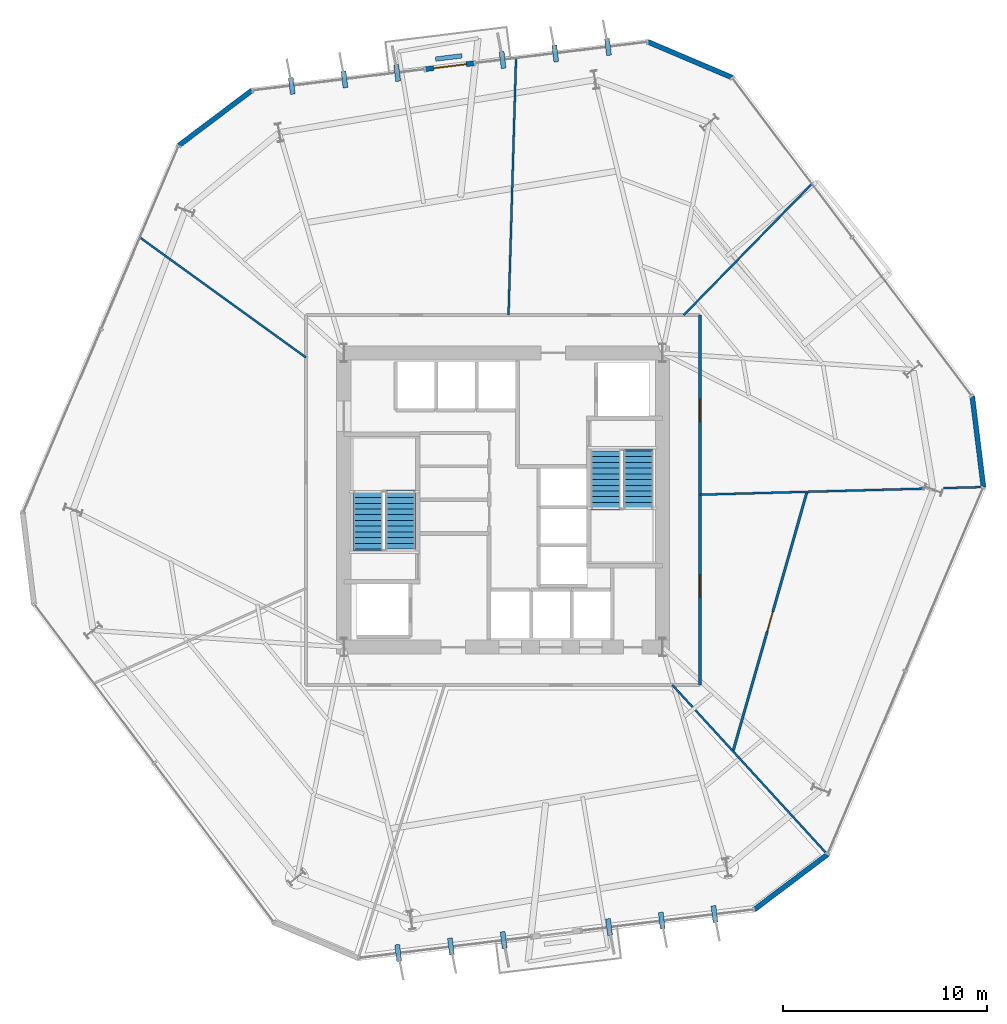
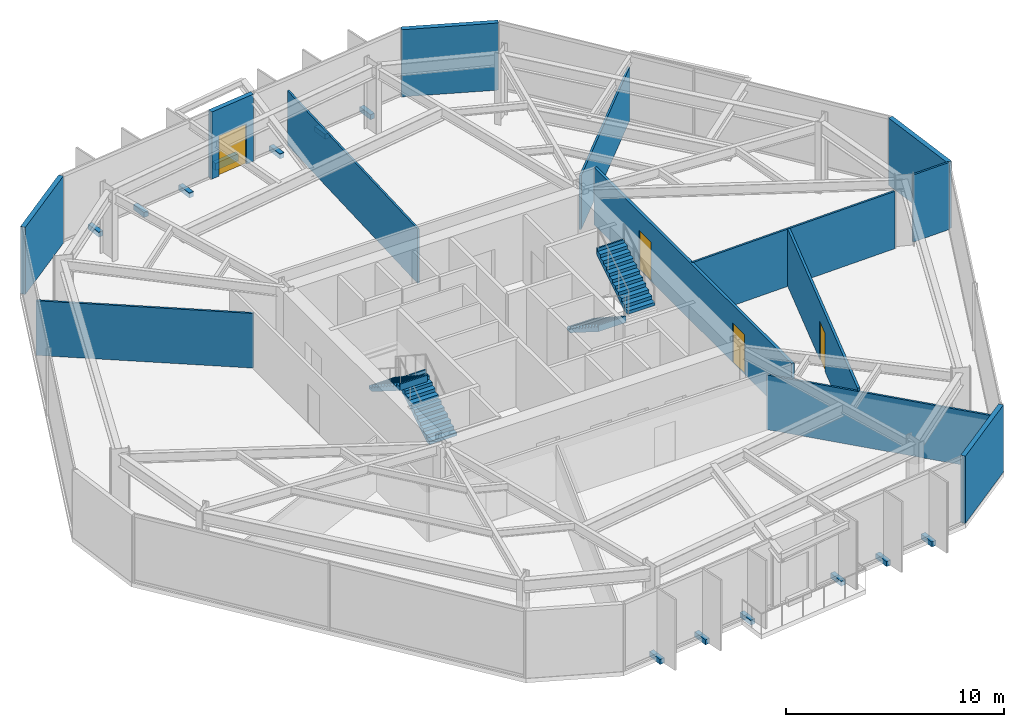
# One storey, part 8 of 11: 14 walls, 12 discrete accessories, 4 doors, 4 stair flights, 4 openings, 2 elements without a shape of their own.
"""IFC4 building model written with IfcOpenShell, lengths in metres."""

from ifc_helpers import new_model, si_unit, direction, frame, frame_2d, origin, origin_2d, place, context, subcontext, project, spatial, polyline, rectangle, outline, extrude, material, layer, layer_set, type_object, element, fill, aggregate, save


model = new_model("IFC4")

# Units and contexts
model_context = context("Model", 3, precision=1e-05, world=origin(), true_north=direction((0.0, 1.0)))
body_context = subcontext(model_context, "Body", "Model", "MODEL_VIEW")
ifc_project = project(units=[si_unit("LENGTHUNIT", "METRE"), si_unit("AREAUNIT", "SQUARE_METRE"), si_unit("VOLUMEUNIT", "CUBIC_METRE"), si_unit("PLANEANGLEUNIT", "RADIAN"), si_unit("MASSUNIT", "GRAM", prefix="KILO")], contexts=[model_context])

# Site, building, storey
site_placement = place(None, origin())
site = spatial("IfcSite", under=ifc_project, at=site_placement, CompositionType="ELEMENT")
building_placement = place(site_placement, origin())
building = spatial("IfcBuilding", under=site, at=building_placement, Name="Kranzbogen Civic Tower", CompositionType="ELEMENT")
storey_placement = place(building_placement, frame((0.0, 0.0, 48.0)))
storey = spatial("IfcBuildingStorey", under=building, at=storey_placement, Name="L11", CompositionType="ELEMENT", Elevation=48.0)

# Wall, openings, doors
ifc_material_1 = material(Name="Double-Stud Acoustic Gypsum Partition")
ifc_layer_1 = layer(ifc_material_1, 0.14990234375, Name="Double-Stud Acoustic Gypsum Partition")
ifc_layer_set_1 = layer_set([ifc_layer_1], Name="Double-Stud Acoustic Gypsum Partition")
wall_type_1 = type_object("IfcWallType", Name="Acoustic Corridor and Clinical Partition 150 mm", PredefinedType="PARTITIONING", material=ifc_layer_set_1)
wall_1_placement = place(storey_placement, frame((34.64990234375, 34.050048828125, 0.0), z_axis=(0.0, 0.0, 1.0), x_axis=(0.0, -1.0, 0.0)))
wall_1 = element("IfcWall", 1, at=wall_1_placement, inside=storey, type_object=wall_type_1, Name="L11 corridor partition 02", PredefinedType="PARTITIONING", context=body_context, shape_type="SweptSolid", body=[
    extrude(rectangle(XDim=18.10009765625, YDim=0.14990234375, at=frame_2d((9.050048828125, 0.0))), origin(), (0.0, 0.0, 1.0), 3.2099609375),
])
opening_1_placement = place(wall_1_placement, frame((12.7099609375, 0.0, 0.0)))
opening_1 = element("IfcOpeningElement", 2, at=opening_1_placement, cuts=wall_1, Name="Opening D-COR60", PredefinedType="OPENING", context=body_context, shape_type="SweptSolid", body=[
    extrude(rectangle(XDim=1.10009765625, YDim=2.199951171875, at=frame_2d((0.550048828125, 1.10009765625))), frame((0.0, 0.0849609375, 0.0), z_axis=(0.0, -1.0, 0.0), x_axis=(1.0, 0.0, 0.0)), (0.0, 0.0, 1.0), 0.169921875),
])
opening_2_placement = place(wall_1_placement, frame((4.116943359375, 0.0, 0.0)))
opening_2 = element("IfcOpeningElement", 3, at=opening_2_placement, cuts=wall_1, Name="Opening D-COR60", PredefinedType="OPENING", context=body_context, shape_type="SweptSolid", body=[
    extrude(rectangle(XDim=1.10009765625, YDim=2.199951171875, at=frame_2d((0.550048828125, 1.10009765625))), frame((0.0, 0.0849609375, 0.0), z_axis=(0.0, -1.0, 0.0), x_axis=(1.0, 0.0, 0.0)), (0.0, 0.0, 1.0), 0.169921875),
])
ifc_material_2 = material(Name="Oak Timber and Fire Core", Category="wood")
door_type_1 = type_object("IfcDoorType", Name="Corridor Acoustic Fire Door 1100x2200", OperationType="NOTDEFINED", PredefinedType="DOOR", material=ifc_material_2)
door_1_placement = place(opening_1_placement, origin())
door_1 = element("IfcDoor", 4, at=door_1_placement, inside=storey, type_object=door_type_1, Name="L11 Legal Counsel Office door", OperationType="SINGLE_SWING_RIGHT", OverallHeight=2.199951171875, OverallWidth=1.10009765625, PredefinedType="DOOR", context=body_context, shape_type="SweptSolid", body=[
    extrude(rectangle(XDim=1.10009765625, YDim=2.199951171875, at=frame_2d((0.550048828125, 1.10009765625))), frame((0.0, 0.02490234375, 0.0), z_axis=(0.0, -1.0, 0.0), x_axis=(1.0, 0.0, 0.0)), (0.0, 0.0, 1.0), 0.050048828125),
])
fill(opening_1, door_1)
door_2_placement = place(opening_2_placement, origin())
door_2 = element("IfcDoor", 5, at=door_2_placement, inside=storey, type_object=door_type_1, Name="L11 Executive Research Study door", OperationType="SINGLE_SWING_RIGHT", OverallHeight=2.199951171875, OverallWidth=1.10009765625, PredefinedType="DOOR", context=body_context, shape_type="SweptSolid", body=[
    extrude(rectangle(XDim=1.10009765625, YDim=2.199951171875, at=frame_2d((0.550048828125, 1.10009765625))), frame((0.0, 0.02490234375, 0.0), z_axis=(0.0, -1.0, 0.0), x_axis=(1.0, 0.0, 0.0)), (0.0, 0.0, 1.0), 0.050048828125),
])
fill(opening_2, door_2)

# Wall, opening, door
ifc_material_3 = material(Name="Insulated Metal-Stud Gypsum Partition")
ifc_layer_2 = layer(ifc_material_3, 0.125, Name="Insulated Metal-Stud Gypsum Partition")
ifc_layer_set_2 = layer_set([ifc_layer_2], Name="Insulated Metal-Stud Gypsum Partition")
wall_type_2 = type_object("IfcWallType", Name="Acoustic Inter-Room Partition 125 mm", PredefinedType="PARTITIONING", material=ifc_layer_set_2)
wall_2_placement = place(storey_placement, frame((36.262939453125, 12.7119140625, 0.0), z_axis=(0.0, 0.0, 1.0), x_axis=(0.27415099994, 0.961686658549, 0.0)))
wall_2 = element("IfcWall", 6, at=wall_2_placement, inside=storey, type_object=wall_type_2, Name="L11 suite chord partition 01", PredefinedType="PARTITIONING", context=body_context, shape_type="SweptSolid", body=[
    extrude(rectangle(XDim=13.178955078125, YDim=0.125, at=frame_2d((6.58935546875, 0.0))), origin(), (0.0, 0.0, 1.0), 3.2099609375),
])
opening_3_placement = place(wall_2_placement, frame((6.089111328125, 0.0, 0.0)))
opening_3 = element("IfcOpeningElement", 7, at=opening_3_placement, cuts=wall_2, Name="Opening D-OFC10", PredefinedType="OPENING", context=body_context, shape_type="SweptSolid", body=[
    extrude(rectangle(XDim=1.0, YDim=2.14990234375, at=frame_2d((0.5, 1.074951171875))), frame((0.0, 0.072509765625, 0.0), z_axis=(0.0, -1.0, 0.0), x_axis=(1.0, 0.0, 0.0)), (0.0, 0.0, 1.0), 0.14501953125),
])
ifc_material_4 = material(Name="Oak Timber Veneer", Category="wood")
door_type_2 = type_object("IfcDoorType", Name="Standard Office Acoustic Door 1000x2150", OperationType="NOTDEFINED", PredefinedType="DOOR", material=ifc_material_4)
door_3_placement = place(opening_3_placement, origin())
door_3 = element("IfcDoor", 8, at=door_3_placement, inside=storey, type_object=door_type_2, Name="L11 Delegates Sitting Lounge door", OperationType="SINGLE_SWING_LEFT", OverallHeight=2.14990234375, OverallWidth=1.0, PredefinedType="DOOR", context=body_context, shape_type="SweptSolid", body=[
    extrude(rectangle(XDim=1.0, YDim=2.14990234375, at=frame_2d((0.5, 1.074951171875))), frame((0.0, 0.02490234375, 0.0), z_axis=(0.0, -1.0, 0.0), x_axis=(1.0, 0.0, 0.0)), (0.0, 0.0, 1.0), 0.050048828125),
])
fill(opening_3, door_3)

# Walls
ifc_material_5 = material(Name="Architectural Precast Terracotta Concrete C40/50", Category="masonry")
ifc_layer_3 = layer(ifc_material_5, 0.219970703125, Name="Architectural Precast Terracotta Concrete C40/50")
ifc_layer_set_3 = layer_set([ifc_layer_3], Name="Architectural Precast Terracotta Concrete C40/50")
wall_type_3 = type_object("IfcWallType", Name="Architectural Tree Planter Kerb Wall 220 mm", PredefinedType="USERDEFINED", material=ifc_layer_set_3)
wall_3_placement = place(storey_placement, frame((22.98388671875, 46.74609375, 0.0), z_axis=(0.0, 0.0, 1.0), x_axis=(-0.99256138924, -0.121745178919, 0.0)))
element("IfcWall", 9, at=wall_3_placement, inside=storey, type_object=wall_type_3, Name="L11 landscaped tree balcony planter L11-TB2", ObjectType="PLANTER_WALL", PredefinedType="USERDEFINED", context=body_context, shape_type="SweptSolid", body=[
    extrude(rectangle(XDim=1.299560546875, YDim=0.219970703125, at=frame_2d((0.64990234375, 0.0))), origin(), (0.0, 0.0, 1.0), 0.39990234375),
])
ifc_material_6 = material(Name="Demountable Aluminium and Gypsum Partition", Category="aluminium")
ifc_layer_4 = layer(ifc_material_6, 0.10009765625, Name="Demountable Aluminium and Gypsum Partition")
ifc_layer_set_4 = layer_set([ifc_layer_4], Name="Demountable Aluminium and Gypsum Partition")
wall_type_4 = type_object("IfcWallType", Name="Demountable Office Partition 100 mm", PredefinedType="MOVABLE", material=ifc_layer_set_4)
wall_4_placement = place(storey_placement, frame((33.840087890625, 34.050048828125, 0.0), z_axis=(0.0, 0.0, 1.0), x_axis=(0.698762183729, 0.715354045624, 0.0)))
element("IfcWall", 10, at=wall_4_placement, inside=storey, type_object=wall_type_4, Name="L11 radial room partition 01", PredefinedType="MOVABLE", context=body_context, shape_type="SweptSolid", body=[
    extrude(rectangle(XDim=8.975830078125, YDim=0.10009765625, at=frame_2d((4.48779296875, 0.0))), origin(), (0.0, 0.0, 1.0), 3.02001953125),
])
wall_5_placement = place(storey_placement, frame((25.263916015625, 34.050048828125, 0.0), z_axis=(0.0, 0.0, 1.0), x_axis=(0.029203902764, 0.99957347507, 0.0)))
element("IfcWall", 11, at=wall_5_placement, inside=storey, type_object=wall_type_4, Name="L11 radial room partition 02", PredefinedType="MOVABLE", context=body_context, shape_type="SweptSolid", body=[
    extrude(rectangle(XDim=12.5732421875, YDim=0.10009765625, at=frame_2d((6.28662109375, 0.0))), origin(), (0.0, 0.0, 1.0), 3.050048828125),
])
wall_6_placement = place(storey_placement, frame((15.35009765625, 31.97509765625, 0.0), z_axis=(0.0, 0.0, 1.0), x_axis=(-0.810433800227, 0.585830227497, 0.0)))
element("IfcWall", 12, at=wall_6_placement, inside=storey, type_object=wall_type_4, Name="L11 radial room partition 03", PredefinedType="MOVABLE", context=body_context, shape_type="SweptSolid", body=[
    extrude(rectangle(XDim=10.023193359375, YDim=0.10009765625, at=frame_2d((5.01171875, 0.0))), origin(), (0.0, 0.0, 1.0), 3.06005859375),
])
wall_7_placement = place(storey_placement, frame((33.280029296875, 15.949951171875, 0.0), z_axis=(0.0, 0.0, 1.0), x_axis=(0.675035607083, -0.737785151091, 0.0)))
element("IfcWall", 13, at=wall_7_placement, inside=storey, type_object=wall_type_4, Name="L11 radial room partition 06", PredefinedType="MOVABLE", context=body_context, shape_type="SweptSolid", body=[
    extrude(rectangle(XDim=11.236328125, YDim=0.10009765625, at=frame_2d((5.6181640625, 0.0))), origin(), (0.0, 0.0, 1.0), 3.06005859375),
])
wall_8_placement = place(storey_placement, frame((34.64990234375, 25.260009765625, 0.0), z_axis=(0.0, 0.0, 1.0), x_axis=(0.999634969873, 0.027017161348, 0.0)))
element("IfcWall", 14, at=wall_8_placement, inside=storey, type_object=wall_type_4, Name="L11 radial room partition 07 part 1", PredefinedType="MOVABLE", context=body_context, shape_type="SweptSolid", body=[
    extrude(rectangle(XDim=10.916015625, YDim=0.10009765625, at=frame_2d((5.4580078125, 0.0))), origin(), (0.0, 0.0, 1.0), 3.2099609375),
])
wall_9_placement = place(storey_placement, frame((46.552001953125, 25.5810546875, 0.0), z_axis=(0.0, 0.0, 1.0), x_axis=(0.999628897196, 0.027240923106, 0.0)))
element("IfcWall", 15, at=wall_9_placement, inside=storey, type_object=wall_type_4, Name="L11 radial room partition 07 part 2", PredefinedType="MOVABLE", context=body_context, shape_type="SweptSolid", body=[
    extrude(rectangle(XDim=1.94482421875, YDim=0.10009765625, at=frame_2d((0.972412109375, 0.0))), origin(), (0.0, 0.0, 1.0), 3.760009765625),
])
ifc_material_7 = material(Name="Pale Anodised Aluminium", Category="aluminium")
ifc_layer_5 = layer(ifc_material_7, 0.239990234375, Name="Pale Anodised Aluminium")
ifc_layer_set_5 = layer_set([ifc_layer_5], Name="Pale Anodised Aluminium")
wall_type_5 = type_object("IfcWallType", Name="Insulated Aluminium Facade Portal Wall 240 mm", PredefinedType="STANDARD", material=ifc_layer_set_5)
wall_10_placement = place(storey_placement, frame((36.2080078125, 45.680908203125, 0.0), z_axis=(0.0, 0.0, 1.0), x_axis=(-0.920463989724, 0.390827383409, 0.0)))
element("IfcWall", 16, at=wall_10_placement, inside=storey, type_object=wall_type_5, Name="L11 chamfered corner facade spandrel 1", PredefinedType="STANDARD", context=body_context, shape_type="SweptSolid", body=[
    extrude(rectangle(XDim=4.47265625, YDim=0.239990234375, at=frame_2d((2.236328125, 0.0))), origin(), (0.0, 0.0, 1.0), 3.760009765625),
])

# Wall, opening, door
wall_11_placement = place(storey_placement, frame((23.5830078125, 46.385009765625, 0.0), z_axis=(0.0, 0.0, 1.0), x_axis=(-0.992521632568, -0.122068869435, 0.0)))
wall_11 = element("IfcWall", 17, at=wall_11_placement, inside=storey, type_object=wall_type_5, Name="L11 exterior entrance portal wall 1", PredefinedType="STANDARD", context=body_context, shape_type="SweptSolid", body=[
    extrude(rectangle(XDim=2.400146484375, YDim=0.239990234375, at=frame_2d((1.2001953125, 0.0))), origin(), (0.0, 0.0, 1.0), 3.760009765625),
])
opening_4_placement = place(wall_11_placement, frame((0.39990234375, 0.0, 0.0)))
opening_4 = element("IfcOpeningElement", 18, at=opening_4_placement, cuts=wall_11, Name="Opening D-TER", PredefinedType="OPENING", context=body_context, shape_type="SweptSolid", body=[
    extrude(rectangle(XDim=1.60009765625, YDim=2.25, at=frame_2d((0.800048828125, 1.125))), frame((0.0, 0.1298828125, 0.0), z_axis=(0.0, -1.0, 0.0), x_axis=(1.0, 0.0, 0.0)), (0.0, 0.0, 1.0), 0.260009765625),
])
ifc_material_8 = material(Name="Anodised Bronze and Triple Glass", Category="glass")
door_type_3 = type_object("IfcDoorType", Name="Glazed Terrace and Balcony Double Door 1600x2250", OperationType="DOUBLE_DOOR_SINGLE_SWING", PredefinedType="DOOR", material=ifc_material_8)
door_4_placement = place(opening_4_placement, frame((1.60009765625, 0.0, 0.0), z_axis=(0.0, 0.0, 1.0), x_axis=(-1.0, 0.0, 0.0)))
door_4 = element("IfcDoor", 19, at=door_4_placement, inside=storey, type_object=door_type_3, Name="L11 tree balcony access door L11-TB2", OperationType="DOUBLE_DOOR_SINGLE_SWING", OverallHeight=2.25, OverallWidth=1.60009765625, PredefinedType="DOOR", context=body_context, shape_type="SweptSolid", body=[
    extrude(rectangle(XDim=1.60009765625, YDim=2.25, at=frame_2d((0.800048828125, 1.125))), frame((0.0, 0.02490234375, 0.0), z_axis=(0.0, -1.0, 0.0), x_axis=(1.0, 0.0, 0.0)), (0.0, 0.0, 1.0), 0.050048828125),
])
fill(opening_4, door_4)

# Walls
for number, where, z_axis, x_axis, name in (
    (20, (12.694091796875, 45.048095703125, 0.0), (0.0, 0.0, 1.0), (-0.798484642233, -0.602015179309, 0.0), "L11 chamfered corner facade spandrel 2"),
    (21, (37.305908203125, 4.951904296875, 0.0), (0.0, 0.0, 1.0), (0.798484642233, 0.602015179309, 0.0), "L11 chamfered corner facade spandrel 5"),
    (22, (48.514892578125, 25.634033203125, 0.0), (0.0, 0.0, 1.0), (-0.122032788479, 0.992526069449, 0.0), "L11 chamfered corner facade spandrel 6"),
):
    element("IfcWall", number, at=place(storey_placement, frame(where, z_axis=z_axis, x_axis=x_axis)), inside=storey, type_object=wall_type_5, Name=name, PredefinedType="STANDARD", context=body_context, shape_type="SweptSolid", body=[
        extrude(rectangle(XDim=4.473388671875, YDim=0.239990234375, at=frame_2d((2.23681640625, 0.0))), origin(), (0.0, 0.0, 1.0), 3.760009765625),
    ])

# Stair, stair flights
ifc_material_9 = material(Name="Precast concrete C40/50", Category="concrete")
stair_type_1 = type_object("IfcStairType", Name="Tower Core Pressurized Dogleg Stair 1450", PredefinedType="HALF_TURN_STAIR", material=ifc_material_9)
stair_1_placement = place(storey_placement, origin())
stair_1 = element("IfcStair", 23, at=stair_1_placement, inside=storey, type_object=stair_type_1, Name="L11 Tower Core Pressurized Stair 1", PredefinedType="HALF_TURN_STAIR")
stair_flight_type = type_object("IfcStairFlightType", Name="Precast Concrete Stair Flight R180", PredefinedType="STRAIGHT", material=ifc_material_9)
stair_flight_1_placement = place(storey_placement, frame((19.97509765625, 22.60009765625, 0.0), z_axis=(0.0, 0.0, 1.0), x_axis=(0.0, 1.0, 0.0)))
stair_flight_1 = element("IfcStairFlight", 24, at=stair_flight_1_placement, type_object=stair_flight_type, Name="ST-T1 flight 1", NumberOfRisers=11, NumberOfTreads=10, PredefinedType="STRAIGHT", RiserHeight=0.181818182, TreadLength=0.28, context=body_context, shape_type="SweptSolid", body=[
    extrude(outline(polyline([(0.0, 0.0), (0.0, 0.181884765625), (0.280029296875, 0.181884765625), (0.280029296875, 0.363525390625), (0.56005859375, 0.363525390625), (0.56005859375, 0.54541015625), (0.840087890625, 0.54541015625), (0.840087890625, 0.727294921875), (1.1201171875, 0.727294921875), (1.1201171875, 0.9091796875), (1.39990234375, 0.9091796875), (1.39990234375, 1.0908203125), (1.679931640625, 1.0908203125), (1.679931640625, 1.272705078125), (1.9599609375, 1.272705078125), (1.9599609375, 1.45458984375), (2.239990234375, 1.45458984375), (2.239990234375, 1.636474609375), (2.52001953125, 1.636474609375), (2.52001953125, 1.818115234375), (2.800048828125, 1.818115234375), (2.800048828125, 2.0), (2.880126953125, 2.0), (2.880126953125, 1.639404296875), (0.275146484375, 0.0), (0.0, 0.0)])), frame((0.0, 0.72509765625, 0.0), z_axis=(0.0, -1.0, 0.0), x_axis=(1.0, 0.0, 0.0)), (0.0, 0.0, 1.0), 1.449951171875),
])
stair_flight_2_placement = place(storey_placement, frame((18.375, 25.39990234375, 2.0), z_axis=(0.0, 0.0, 1.0), x_axis=(0.0, -1.0, 0.0)))
stair_flight_2 = element("IfcStairFlight", 25, at=stair_flight_2_placement, type_object=stair_flight_type, Name="ST-T1 flight 2", NumberOfRisers=11, NumberOfTreads=10, PredefinedType="STRAIGHT", RiserHeight=0.181818182, TreadLength=0.28, context=body_context, shape_type="SweptSolid", body=[
    extrude(outline(polyline([(0.0, 0.0), (0.0, 0.181884765625), (0.280029296875, 0.181884765625), (0.280029296875, 0.363525390625), (0.56005859375, 0.363525390625), (0.56005859375, 0.54541015625), (0.840087890625, 0.54541015625), (0.840087890625, 0.727294921875), (1.1201171875, 0.727294921875), (1.1201171875, 0.9091796875), (1.39990234375, 0.9091796875), (1.39990234375, 1.0908203125), (1.679931640625, 1.0908203125), (1.679931640625, 1.272705078125), (1.9599609375, 1.272705078125), (1.9599609375, 1.45458984375), (2.239990234375, 1.45458984375), (2.239990234375, 1.636474609375), (2.52001953125, 1.636474609375), (2.52001953125, 1.818115234375), (2.800048828125, 1.818115234375), (2.800048828125, 2.0), (2.880126953125, 2.0), (2.880126953125, 1.639404296875), (0.275146484375, 0.0), (0.0, 0.0)])), frame((0.0, 0.72509765625, 0.0), z_axis=(0.0, -1.0, 0.0), x_axis=(1.0, 0.0, 0.0)), (0.0, 0.0, 1.0), 1.449951171875),
])
aggregate(stair_1, [stair_flight_1, stair_flight_2])

stair_type_2 = type_object("IfcStairType", Name="Tower Core Secondary Dogleg Stair 1450", PredefinedType="HALF_TURN_STAIR", material=ifc_material_9)
stair_2_placement = place(storey_placement, origin())
stair_2 = element("IfcStair", 26, at=stair_2_placement, inside=storey, type_object=stair_type_2, Name="L11 Tower Core Pressurized Stair 2", PredefinedType="HALF_TURN_STAIR")
stair_flight_3_placement = place(storey_placement, frame((30.02490234375, 27.39990234375, 0.0), z_axis=(0.0, 0.0, 1.0), x_axis=(0.0, -1.0, 0.0)))
stair_flight_3 = element("IfcStairFlight", 27, at=stair_flight_3_placement, type_object=stair_flight_type, Name="ST-T2 flight 1", NumberOfRisers=11, NumberOfTreads=10, PredefinedType="STRAIGHT", RiserHeight=0.181818182, TreadLength=0.28, context=body_context, shape_type="SweptSolid", body=[
    extrude(outline(polyline([(0.0, 0.0), (0.0, 0.181884765625), (0.280029296875, 0.181884765625), (0.280029296875, 0.363525390625), (0.56005859375, 0.363525390625), (0.56005859375, 0.54541015625), (0.840087890625, 0.54541015625), (0.840087890625, 0.727294921875), (1.1201171875, 0.727294921875), (1.1201171875, 0.9091796875), (1.39990234375, 0.9091796875), (1.39990234375, 1.0908203125), (1.679931640625, 1.0908203125), (1.679931640625, 1.272705078125), (1.9599609375, 1.272705078125), (1.9599609375, 1.45458984375), (2.239990234375, 1.45458984375), (2.239990234375, 1.636474609375), (2.52001953125, 1.636474609375), (2.52001953125, 1.818115234375), (2.800048828125, 1.818115234375), (2.800048828125, 2.0), (2.880126953125, 2.0), (2.880126953125, 1.639404296875), (0.275146484375, 0.0), (0.0, 0.0)])), frame((0.0, 0.72509765625, 0.0), z_axis=(0.0, -1.0, 0.0), x_axis=(1.0, 0.0, 0.0)), (0.0, 0.0, 1.0), 1.449951171875),
])
stair_flight_4_placement = place(storey_placement, frame((31.625, 24.60009765625, 2.0), z_axis=(0.0, 0.0, 1.0), x_axis=(0.0, 1.0, 0.0)))
stair_flight_4 = element("IfcStairFlight", 28, at=stair_flight_4_placement, type_object=stair_flight_type, Name="ST-T2 flight 2", NumberOfRisers=11, NumberOfTreads=10, PredefinedType="STRAIGHT", RiserHeight=0.181818182, TreadLength=0.28, context=body_context, shape_type="SweptSolid", body=[
    extrude(outline(polyline([(0.0, 0.0), (0.0, 0.181884765625), (0.280029296875, 0.181884765625), (0.280029296875, 0.363525390625), (0.56005859375, 0.363525390625), (0.56005859375, 0.54541015625), (0.840087890625, 0.54541015625), (0.840087890625, 0.727294921875), (1.1201171875, 0.727294921875), (1.1201171875, 0.9091796875), (1.39990234375, 0.9091796875), (1.39990234375, 1.0908203125), (1.679931640625, 1.0908203125), (1.679931640625, 1.272705078125), (1.9599609375, 1.272705078125), (1.9599609375, 1.45458984375), (2.239990234375, 1.45458984375), (2.239990234375, 1.636474609375), (2.52001953125, 1.636474609375), (2.52001953125, 1.818115234375), (2.800048828125, 1.818115234375), (2.800048828125, 2.0), (2.880126953125, 2.0), (2.880126953125, 1.639404296875), (0.275146484375, 0.0), (0.0, 0.0)])), frame((0.0, 0.72509765625, 0.0), z_axis=(0.0, -1.0, 0.0), x_axis=(1.0, 0.0, 0.0)), (0.0, 0.0, 1.0), 1.449951171875),
])
aggregate(stair_2, [stair_flight_3, stair_flight_4])

# Discrete accessories
ifc_material_10 = material(Name="Steel S355", Category="steel")
discrete_accessory_type = type_object("IfcDiscreteAccessoryType", Name="Structural Curtain-Wall Fin Support Bracket", PredefinedType="BRACKET", material=ifc_material_10)
for number, where, z_axis, x_axis, name in (
    (29, (30.135986328125, 47.176025390625, -0.25), (0.0, 0.0, 1.0), (-0.121869343405, 0.992546151641, 0.0), "L11 facade fin support bracket F2-1"),
    (30, (27.554931640625, 46.85888671875, -0.25), (0.0, 0.0, 1.0), (-0.121869343405, 0.992546151641, 0.0), "L11 facade fin support bracket F2-2"),
    (31, (24.97509765625, 46.5419921875, -0.25), (0.0, 0.0, 1.0), (-0.121869343405, 0.992546151641, 0.0), "L11 facade fin support bracket F2-3"),
    (32, (19.81298828125, 45.908935546875, -0.25), (0.0, 0.0, 1.0), (-0.121869343405, 0.992546151641, 0.0), "L11 facade fin support bracket F2-5"),
    (33, (17.23291015625, 45.592041015625, -0.25), (0.0, 0.0, 1.0), (-0.121869343405, 0.992546151641, 0.0), "L11 facade fin support bracket F2-6"),
    (34, (14.652099609375, 45.27490234375, -0.25), (0.0, 0.0, 1.0), (-0.121869343405, 0.992546151641, 0.0), "L11 facade fin support bracket F2-7"),
    (35, (19.864013671875, 2.823974609375, -0.25), (0.0, 0.0, 1.0), (0.121869343405, -0.992546151641, 0.0), "L11 facade fin support bracket F5-1"),
    (36, (22.445068359375, 3.14111328125, -0.25), (0.0, 0.0, 1.0), (0.121869343405, -0.992546151641, 0.0), "L11 facade fin support bracket F5-2"),
    (37, (25.02490234375, 3.4580078125, -0.25), (0.0, 0.0, 1.0), (0.121869343405, -0.992546151641, 0.0), "L11 facade fin support bracket F5-3"),
    (38, (30.18701171875, 4.091064453125, -0.25), (0.0, 0.0, 1.0), (0.121869343405, -0.992546151641, 0.0), "L11 facade fin support bracket F5-5"),
    (39, (32.76708984375, 4.407958984375, -0.25), (0.0, 0.0, 1.0), (0.121869343405, -0.992546151641, 0.0), "L11 facade fin support bracket F5-6"),
    (40, (35.347900390625, 4.72509765625, -0.25), (0.0, 0.0, 1.0), (0.121869343405, -0.992546151641, 0.0), "L11 facade fin support bracket F5-7"),
):
    element("IfcDiscreteAccessory", number, at=place(storey_placement, frame(where, z_axis=z_axis, x_axis=x_axis)), inside=storey, type_object=discrete_accessory_type, Name=name, PredefinedType="BRACKET", context=body_context, shape_type="SweptSolid", body=[
        extrude(rectangle(XDim=0.820068359375, YDim=0.239990234375, at=origin_2d()), origin(), (0.0, 0.0, 1.0), 0.280029296875),
    ])

save(model, "model.ifc")
